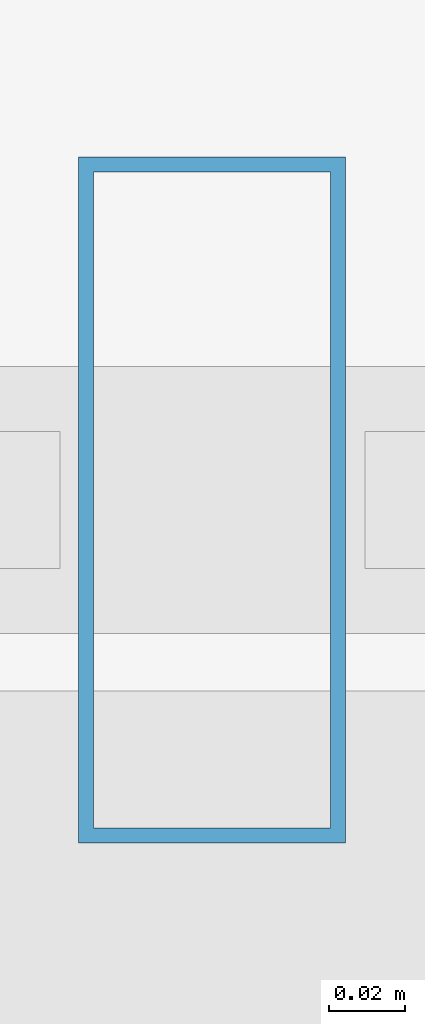
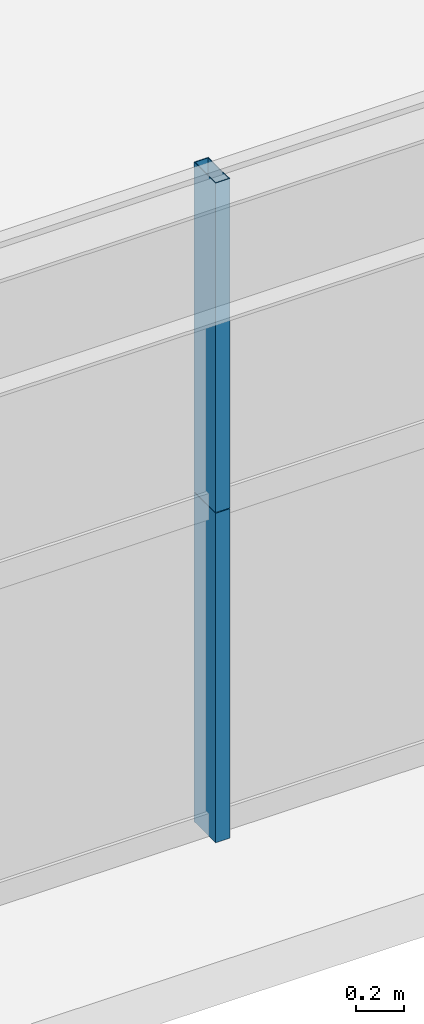
# One storey, part 5 of 43: 2 members, 1 element without a shape of its own.
"""IFC4 building model written with IfcOpenShell, lengths in metres."""

from ifc_helpers import new_model, si_unit, direction, frame, origin, origin_2d, place, context, subcontext, project, spatial, hollow_rectangle, extrude, source, transform, mapped, material, layer, layer_set, material_profile, profile_set, type_object, element, aggregate, save


model = new_model("IFC4")

# Units and contexts
model_context = context("Model", 3, precision=1e-05, world=origin(), true_north=direction((0.0, 1.0)))
body_context = subcontext(model_context, "Body", "Model", "MODEL_VIEW")
ifc_project = project(units=[si_unit("LENGTHUNIT", "METRE"), si_unit("AREAUNIT", "SQUARE_METRE"), si_unit("VOLUMEUNIT", "CUBIC_METRE"), si_unit("PLANEANGLEUNIT", "RADIAN"), si_unit("MASSUNIT", "GRAM", prefix="KILO"), si_unit("THERMODYNAMICTEMPERATUREUNIT", "KELVIN"), si_unit("POWERUNIT", "WATT")], contexts=[model_context])

# Site, building, storey
site_placement = place(None, origin())
site = spatial("IfcSite", under=ifc_project, at=site_placement, CompositionType="ELEMENT")
building_placement = place(site_placement, origin())
building = spatial("IfcBuilding", under=site, at=building_placement, Name="Yuzanri Waterfront Tower", CompositionType="ELEMENT")
storey_placement = place(building_placement, frame((0.0, 0.0, 46.0)))
storey = spatial("IfcBuildingStorey", under=building, at=storey_placement, Name="L11", CompositionType="ELEMENT", Elevation=46.0)

# Curtain wall, members
ifc_material_1 = material(Name="Anodized Architectural Bronze", Category="metal")
ifc_layer = layer(ifc_material_1, 0.159912109375)
ifc_layer_set = layer_set([ifc_layer], Name="Anodized Architectural Bronze")
curtain_wall_type = type_object("IfcCurtainWallType", Name="Anodized Bronze Hotel Lower-Tier Recessed Unitized Curtain Wall 8100", PredefinedType="NOTDEFINED", material=ifc_layer_set)
curtain_wall_placement = place(storey_placement, origin())
curtain_wall = element("IfcCurtainWall", 1, at=curtain_wall_placement, inside=storey, type_object=curtain_wall_type, Name="L11 Curtain Wall CW-L11-SL", PredefinedType="NOTDEFINED")
ifc_material_2 = material(Name="Anodized Architectural Bronze", Category="metal")
ifc_material_profile = material_profile(ifc_material_2, hollow_rectangle(XDim=0.070068359375, YDim=0.179931640625, WallThickness=0.00390625, at=origin_2d()), Name="CWM 70x180")
ifc_profile_set = profile_set([ifc_material_profile], Name="Anodized Architectural Bronze")
member_type = type_object("IfcMemberType", Name="Anodized Bronze Standard Curtain-Wall Mullion 70x180", PredefinedType="MULLION", material=ifc_profile_set)
shared_shape = source(origin(), body_context, "Body", "SweptSolid", [
    extrude(hollow_rectangle(XDim=0.070068359375, YDim=0.179931640625, WallThickness=0.00390625, at=origin_2d()), origin(), (0.0, 0.0, 1.0), 1.68798828125),
])
member_1_placement = place(storey_placement, frame((27.89990234375, 0.85009765625, 0.0), z_axis=(0.0, 0.0, 1.0), x_axis=(1.0, 0.0, 0.0)))
member_1 = element("IfcMember", 2, at=member_1_placement, type_object=member_type, Name="CW-L11-SL Lower Mullion 01", PredefinedType="MULLION", context=body_context, shape_type="MappedRepresentation", body=[
    mapped(shared_shape, transform((0.0, 0.0, 0.0), scale=1.0)),
])
member_2_placement = place(storey_placement, frame((27.89990234375, 0.85009765625, 1.69189453125), z_axis=(0.0, 0.0, 1.0), x_axis=(1.0, 0.0, 0.0)))
member_2 = element("IfcMember", 3, at=member_2_placement, type_object=member_type, Name="CW-L11-SL Upper Mullion 01", PredefinedType="MULLION", context=body_context, shape_type="MappedRepresentation", body=[
    mapped(shared_shape, transform((0.0, 0.0, 0.0), scale=1.0)),
])
aggregate(curtain_wall, [member_1, member_2])

save(model, "model.ifc")
